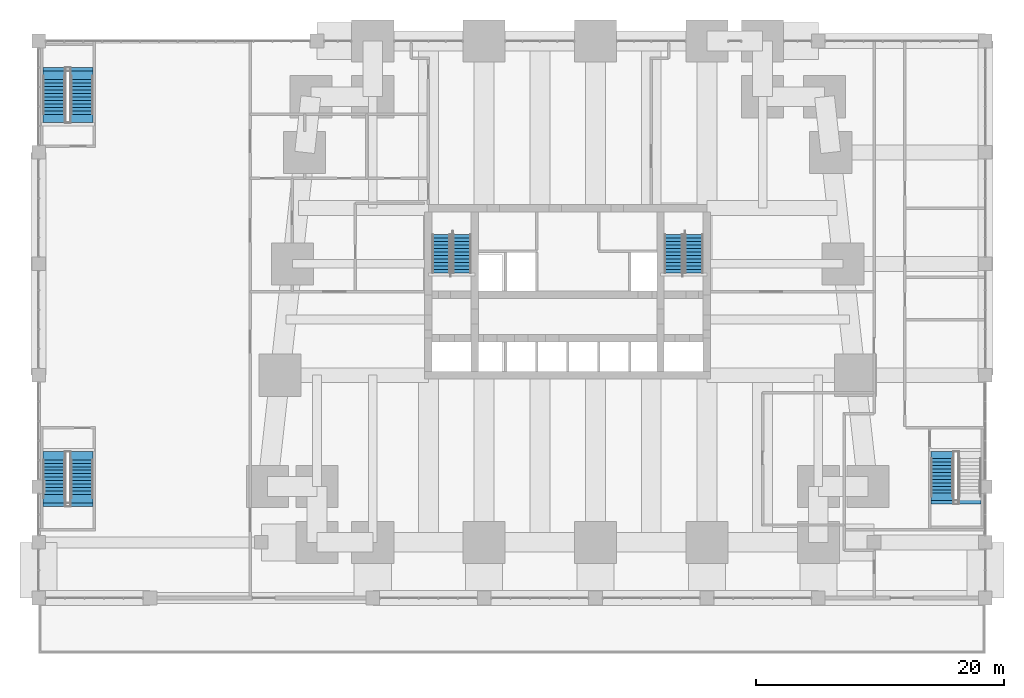
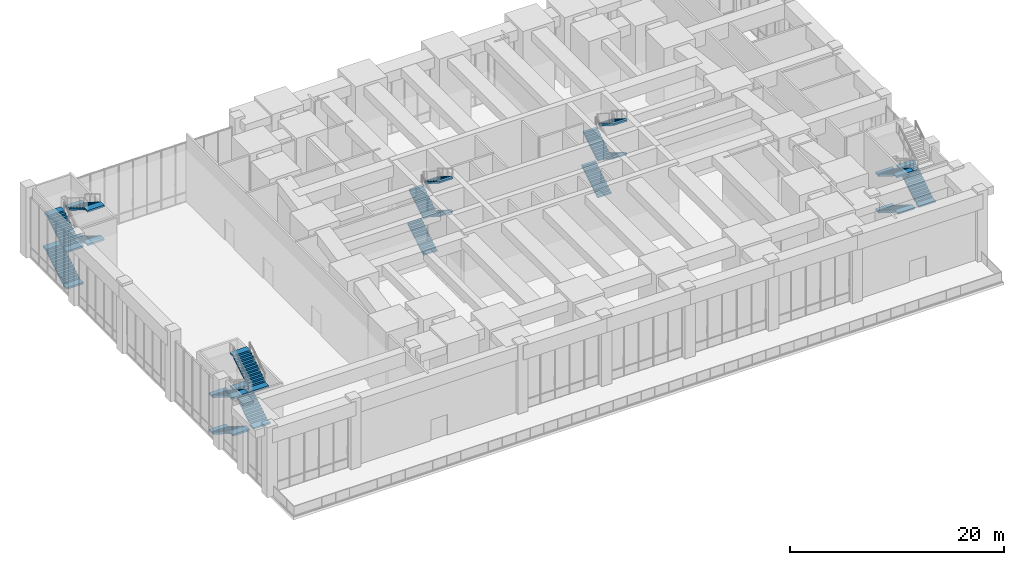
# One storey, part 21 of 26: 19 stair flights, 5 elements without a shape of their own.
"""IFC4 building model written with IfcOpenShell, lengths in metres."""

from ifc_helpers import new_model, si_unit, direction, frame, origin, place, context, subcontext, project, spatial, polyline, outline, extrude, material, type_object, element, aggregate, save


model = new_model("IFC4")

# Units and contexts
model_context = context("Model", 3, precision=1e-05, world=origin(), true_north=direction((0.0, 1.0)))
body_context = subcontext(model_context, "Body", "Model", "MODEL_VIEW")
ifc_project = project(units=[si_unit("LENGTHUNIT", "METRE"), si_unit("AREAUNIT", "SQUARE_METRE"), si_unit("VOLUMEUNIT", "CUBIC_METRE"), si_unit("PLANEANGLEUNIT", "RADIAN"), si_unit("MASSUNIT", "GRAM", prefix="KILO")], contexts=[model_context])

# Site, building, storey
site_placement = place(None, origin())
site = spatial("IfcSite", under=ifc_project, at=site_placement, CompositionType="ELEMENT")
building_placement = place(site_placement, origin())
building = spatial("IfcBuilding", under=site, at=building_placement, Name="Kilele Tower Hotel", CompositionType="ELEMENT")
storey_placement = place(building_placement, frame((0.0, 0.0, 11.0)))
storey = spatial("IfcBuildingStorey", under=building, at=storey_placement, Name="L02", CompositionType="ELEMENT", Elevation=11.0)

# Stair, stair flights
ifc_material_1 = material(Name="Precast concrete C40/50", Category="concrete")
stair_type_1 = type_object("IfcStairType", Name="Stair 1475 x 8000", PredefinedType="HALF_TURN_STAIR", material=ifc_material_1)
stair_1_placement = place(storey_placement, origin())
stair_1 = element("IfcStair", 1, at=stair_1_placement, inside=storey, type_object=stair_type_1, Name="Stair 1 L02", PredefinedType="HALF_TURN_STAIR")
ifc_material_2 = material(Name="Precast concrete C40/50", Category="concrete")
stair_flight_type_1 = type_object("IfcStairFlightType", Name="Flight 1475 riser 173.9", PredefinedType="STRAIGHT", material=ifc_material_2)
stair_flight_1_placement = place(storey_placement, frame((14.53759765625, 21.77490234375, 0.0), z_axis=(0.0, 0.0, 1.0), x_axis=(0.0, 1.0, 0.0)))
stair_flight_1 = element("IfcStairFlight", 2, at=stair_flight_1_placement, type_object=stair_flight_type_1, Name="ST1 flight 1", NumberOfRisers=12, NumberOfTreads=11, PredefinedType="STRAIGHT", RiserHeight=0.173913043, TreadLength=0.28, context=body_context, shape_type="SweptSolid", body=[
    extrude(outline(polyline([(0.0, 0.0), (0.0, 0.173828125), (0.280029296875, 0.173828125), (0.280029296875, 0.347900390625), (0.56005859375, 0.347900390625), (0.56005859375, 0.521728515625), (0.840087890625, 0.521728515625), (0.840087890625, 0.695556640625), (1.1201171875, 0.695556640625), (1.1201171875, 0.86962890625), (1.39990234375, 0.86962890625), (1.39990234375, 1.04345703125), (1.679931640625, 1.04345703125), (1.679931640625, 1.21728515625), (1.9599609375, 1.21728515625), (1.9599609375, 1.391357421875), (2.239990234375, 1.391357421875), (2.239990234375, 1.565185546875), (2.52001953125, 1.565185546875), (2.52001953125, 1.739013671875), (2.800048828125, 1.739013671875), (2.800048828125, 1.9130859375), (3.080078125, 1.9130859375), (3.080078125, 2.0869140625), (3.080078125, 1.736572265625), (0.2841796875, 0.0), (0.0, 0.0)])), frame((0.0, 0.737548828125, 0.0), z_axis=(0.0, -1.0, 0.0), x_axis=(1.0, 0.0, 0.0)), (0.0, 0.0, 1.0), 1.47509765625),
])
stair_flight_2_placement = place(storey_placement, frame((16.21240234375, 24.85498046875, 2.0869140625), z_axis=(0.0, 0.0, 1.0), x_axis=(0.0, -1.0, 0.0)))
stair_flight_2 = element("IfcStairFlight", 3, at=stair_flight_2_placement, type_object=stair_flight_type_1, Name="ST1 flight 2", NumberOfRisers=12, NumberOfTreads=11, PredefinedType="STRAIGHT", RiserHeight=0.173913043, TreadLength=0.28, context=body_context, shape_type="SweptSolid", body=[
    extrude(outline(polyline([(0.0, 0.0), (0.0, 0.173828125), (0.280029296875, 0.173828125), (0.280029296875, 0.347900390625), (0.56005859375, 0.347900390625), (0.56005859375, 0.521728515625), (0.840087890625, 0.521728515625), (0.840087890625, 0.695556640625), (1.1201171875, 0.695556640625), (1.1201171875, 0.86962890625), (1.39990234375, 0.86962890625), (1.39990234375, 1.04345703125), (1.679931640625, 1.04345703125), (1.679931640625, 1.21728515625), (1.9599609375, 1.21728515625), (1.9599609375, 1.391357421875), (2.239990234375, 1.391357421875), (2.239990234375, 1.565185546875), (2.52001953125, 1.565185546875), (2.52001953125, 1.739013671875), (2.800048828125, 1.739013671875), (2.800048828125, 1.9130859375), (3.080078125, 1.9130859375), (3.080078125, 2.0869140625), (3.080078125, 1.736572265625), (0.2841796875, 0.0), (0.0, 0.0)])), frame((0.0, 0.737548828125, 0.0), z_axis=(0.0, -1.0, 0.0), x_axis=(1.0, 0.0, 0.0)), (0.0, 0.0, 1.0), 1.47509765625),
])
stair_flight_3_placement = place(storey_placement, frame((14.53759765625, 21.77490234375, 4.173828125), z_axis=(0.0, 0.0, 1.0), x_axis=(0.0, 1.0, 0.0)))
stair_flight_3 = element("IfcStairFlight", 4, at=stair_flight_3_placement, type_object=stair_flight_type_1, Name="ST1 flight 3", NumberOfRisers=11, NumberOfTreads=10, PredefinedType="STRAIGHT", RiserHeight=0.173913043, TreadLength=0.28, context=body_context, shape_type="SweptSolid", body=[
    extrude(outline(polyline([(0.0, 0.0), (0.0, 0.173828125), (0.280029296875, 0.173828125), (0.280029296875, 0.347900390625), (0.56005859375, 0.347900390625), (0.56005859375, 0.521728515625), (0.840087890625, 0.521728515625), (0.840087890625, 0.695556640625), (1.1201171875, 0.695556640625), (1.1201171875, 0.86962890625), (1.39990234375, 0.86962890625), (1.39990234375, 1.04345703125), (1.679931640625, 1.04345703125), (1.679931640625, 1.21728515625), (1.9599609375, 1.21728515625), (1.9599609375, 1.391357421875), (2.239990234375, 1.391357421875), (2.239990234375, 1.565185546875), (2.52001953125, 1.565185546875), (2.52001953125, 1.739013671875), (2.800048828125, 1.739013671875), (2.800048828125, 1.9130859375), (2.800048828125, 1.562744140625), (0.2841796875, 0.0), (0.0, 0.0)])), frame((0.0, 0.737548828125, 0.0), z_axis=(0.0, -1.0, 0.0), x_axis=(1.0, 0.0, 0.0)), (0.0, 0.0, 1.0), 1.47509765625),
])
stair_flight_4_placement = place(storey_placement, frame((16.21240234375, 24.574951171875, 6.0869140625), z_axis=(0.0, 0.0, 1.0), x_axis=(0.0, -1.0, 0.0)))
stair_flight_4 = element("IfcStairFlight", 5, at=stair_flight_4_placement, type_object=stair_flight_type_1, Name="ST1 flight 4", NumberOfRisers=11, NumberOfTreads=10, PredefinedType="STRAIGHT", RiserHeight=0.173913043, TreadLength=0.28, context=body_context, shape_type="SweptSolid", body=[
    extrude(outline(polyline([(0.0, 0.0), (0.0, 0.173828125), (0.280029296875, 0.173828125), (0.280029296875, 0.347900390625), (0.56005859375, 0.347900390625), (0.56005859375, 0.521728515625), (0.840087890625, 0.521728515625), (0.840087890625, 0.695556640625), (1.1201171875, 0.695556640625), (1.1201171875, 0.86962890625), (1.39990234375, 0.86962890625), (1.39990234375, 1.04345703125), (1.679931640625, 1.04345703125), (1.679931640625, 1.21728515625), (1.9599609375, 1.21728515625), (1.9599609375, 1.391357421875), (2.239990234375, 1.391357421875), (2.239990234375, 1.565185546875), (2.52001953125, 1.565185546875), (2.52001953125, 1.739013671875), (2.800048828125, 1.739013671875), (2.800048828125, 1.9130859375), (2.800048828125, 1.562744140625), (0.2841796875, 0.0), (0.0, 0.0)])), frame((0.0, 0.737548828125, 0.0), z_axis=(0.0, -1.0, 0.0), x_axis=(1.0, 0.0, 0.0)), (0.0, 0.0, 1.0), 1.47509765625),
])
aggregate(stair_1, [stair_flight_1, stair_flight_2, stair_flight_3, stair_flight_4])

stair_2_placement = place(storey_placement, origin())
stair_2 = element("IfcStair", 6, at=stair_2_placement, inside=storey, type_object=stair_type_1, Name="Stair 2 L02", PredefinedType="HALF_TURN_STAIR")
stair_flight_5_placement = place(storey_placement, frame((33.28759765625, 21.77490234375, 0.0), z_axis=(0.0, 0.0, 1.0), x_axis=(0.0, 1.0, 0.0)))
stair_flight_5 = element("IfcStairFlight", 7, at=stair_flight_5_placement, type_object=stair_flight_type_1, Name="ST2 flight 1", NumberOfRisers=12, NumberOfTreads=11, PredefinedType="STRAIGHT", RiserHeight=0.173913043, TreadLength=0.28, context=body_context, shape_type="SweptSolid", body=[
    extrude(outline(polyline([(0.0, 0.0), (0.0, 0.173828125), (0.280029296875, 0.173828125), (0.280029296875, 0.347900390625), (0.56005859375, 0.347900390625), (0.56005859375, 0.521728515625), (0.840087890625, 0.521728515625), (0.840087890625, 0.695556640625), (1.1201171875, 0.695556640625), (1.1201171875, 0.86962890625), (1.39990234375, 0.86962890625), (1.39990234375, 1.04345703125), (1.679931640625, 1.04345703125), (1.679931640625, 1.21728515625), (1.9599609375, 1.21728515625), (1.9599609375, 1.391357421875), (2.239990234375, 1.391357421875), (2.239990234375, 1.565185546875), (2.52001953125, 1.565185546875), (2.52001953125, 1.739013671875), (2.800048828125, 1.739013671875), (2.800048828125, 1.9130859375), (3.080078125, 1.9130859375), (3.080078125, 2.0869140625), (3.080078125, 1.736572265625), (0.2841796875, 0.0), (0.0, 0.0)])), frame((0.0, 0.737548828125, 0.0), z_axis=(0.0, -1.0, 0.0), x_axis=(1.0, 0.0, 0.0)), (0.0, 0.0, 1.0), 1.47509765625),
])
stair_flight_6_placement = place(storey_placement, frame((34.96240234375, 24.85498046875, 2.0869140625), z_axis=(0.0, 0.0, 1.0), x_axis=(0.0, -1.0, 0.0)))
stair_flight_6 = element("IfcStairFlight", 8, at=stair_flight_6_placement, type_object=stair_flight_type_1, Name="ST2 flight 2", NumberOfRisers=12, NumberOfTreads=11, PredefinedType="STRAIGHT", RiserHeight=0.173913043, TreadLength=0.28, context=body_context, shape_type="SweptSolid", body=[
    extrude(outline(polyline([(0.0, 0.0), (0.0, 0.173828125), (0.280029296875, 0.173828125), (0.280029296875, 0.347900390625), (0.56005859375, 0.347900390625), (0.56005859375, 0.521728515625), (0.840087890625, 0.521728515625), (0.840087890625, 0.695556640625), (1.1201171875, 0.695556640625), (1.1201171875, 0.86962890625), (1.39990234375, 0.86962890625), (1.39990234375, 1.04345703125), (1.679931640625, 1.04345703125), (1.679931640625, 1.21728515625), (1.9599609375, 1.21728515625), (1.9599609375, 1.391357421875), (2.239990234375, 1.391357421875), (2.239990234375, 1.565185546875), (2.52001953125, 1.565185546875), (2.52001953125, 1.739013671875), (2.800048828125, 1.739013671875), (2.800048828125, 1.9130859375), (3.080078125, 1.9130859375), (3.080078125, 2.0869140625), (3.080078125, 1.736572265625), (0.2841796875, 0.0), (0.0, 0.0)])), frame((0.0, 0.737548828125, 0.0), z_axis=(0.0, -1.0, 0.0), x_axis=(1.0, 0.0, 0.0)), (0.0, 0.0, 1.0), 1.47509765625),
])
stair_flight_7_placement = place(storey_placement, frame((33.28759765625, 21.77490234375, 4.173828125), z_axis=(0.0, 0.0, 1.0), x_axis=(0.0, 1.0, 0.0)))
stair_flight_7 = element("IfcStairFlight", 9, at=stair_flight_7_placement, type_object=stair_flight_type_1, Name="ST2 flight 3", NumberOfRisers=11, NumberOfTreads=10, PredefinedType="STRAIGHT", RiserHeight=0.173913043, TreadLength=0.28, context=body_context, shape_type="SweptSolid", body=[
    extrude(outline(polyline([(0.0, 0.0), (0.0, 0.173828125), (0.280029296875, 0.173828125), (0.280029296875, 0.347900390625), (0.56005859375, 0.347900390625), (0.56005859375, 0.521728515625), (0.840087890625, 0.521728515625), (0.840087890625, 0.695556640625), (1.1201171875, 0.695556640625), (1.1201171875, 0.86962890625), (1.39990234375, 0.86962890625), (1.39990234375, 1.04345703125), (1.679931640625, 1.04345703125), (1.679931640625, 1.21728515625), (1.9599609375, 1.21728515625), (1.9599609375, 1.391357421875), (2.239990234375, 1.391357421875), (2.239990234375, 1.565185546875), (2.52001953125, 1.565185546875), (2.52001953125, 1.739013671875), (2.800048828125, 1.739013671875), (2.800048828125, 1.9130859375), (2.800048828125, 1.562744140625), (0.2841796875, 0.0), (0.0, 0.0)])), frame((0.0, 0.737548828125, 0.0), z_axis=(0.0, -1.0, 0.0), x_axis=(1.0, 0.0, 0.0)), (0.0, 0.0, 1.0), 1.47509765625),
])
stair_flight_8_placement = place(storey_placement, frame((34.96240234375, 24.574951171875, 6.0869140625), z_axis=(0.0, 0.0, 1.0), x_axis=(0.0, -1.0, 0.0)))
stair_flight_8 = element("IfcStairFlight", 10, at=stair_flight_8_placement, type_object=stair_flight_type_1, Name="ST2 flight 4", NumberOfRisers=11, NumberOfTreads=10, PredefinedType="STRAIGHT", RiserHeight=0.173913043, TreadLength=0.28, context=body_context, shape_type="SweptSolid", body=[
    extrude(outline(polyline([(0.0, 0.0), (0.0, 0.173828125), (0.280029296875, 0.173828125), (0.280029296875, 0.347900390625), (0.56005859375, 0.347900390625), (0.56005859375, 0.521728515625), (0.840087890625, 0.521728515625), (0.840087890625, 0.695556640625), (1.1201171875, 0.695556640625), (1.1201171875, 0.86962890625), (1.39990234375, 0.86962890625), (1.39990234375, 1.04345703125), (1.679931640625, 1.04345703125), (1.679931640625, 1.21728515625), (1.9599609375, 1.21728515625), (1.9599609375, 1.391357421875), (2.239990234375, 1.391357421875), (2.239990234375, 1.565185546875), (2.52001953125, 1.565185546875), (2.52001953125, 1.739013671875), (2.800048828125, 1.739013671875), (2.800048828125, 1.9130859375), (2.800048828125, 1.562744140625), (0.2841796875, 0.0), (0.0, 0.0)])), frame((0.0, 0.737548828125, 0.0), z_axis=(0.0, -1.0, 0.0), x_axis=(1.0, 0.0, 0.0)), (0.0, 0.0, 1.0), 1.47509765625),
])
aggregate(stair_2, [stair_flight_5, stair_flight_6, stair_flight_7, stair_flight_8])

ifc_material_3 = material(Name="Precast concrete C40/50", Category="concrete")
stair_type_2 = type_object("IfcStairType", Name="Stair 1800 x 8000", PredefinedType="HALF_TURN_STAIR", material=ifc_material_3)
stair_3_placement = place(storey_placement, origin())
stair_3 = element("IfcStair", 11, at=stair_3_placement, inside=storey, type_object=stair_type_2, Name="Stair 3 L02", PredefinedType="HALF_TURN_STAIR")
ifc_material_4 = material(Name="Precast concrete C40/50", Category="concrete")
stair_flight_type_2 = type_object("IfcStairFlightType", Name="Flight 1800 riser 173.9", PredefinedType="STRAIGHT", material=ifc_material_4)
stair_flight_9_placement = place(storey_placement, frame((-16.75, 34.5849609375, 0.0), z_axis=(0.0, 0.0, 1.0), x_axis=(0.0, 1.0, 0.0)))
stair_flight_9 = element("IfcStairFlight", 12, at=stair_flight_9_placement, type_object=stair_flight_type_2, Name="ST3 flight 1", NumberOfRisers=12, NumberOfTreads=11, PredefinedType="STRAIGHT", RiserHeight=0.173913043, TreadLength=0.28, context=body_context, shape_type="SweptSolid", body=[
    extrude(outline(polyline([(0.0, 0.0), (0.0, 0.173828125), (0.280029296875, 0.173828125), (0.280029296875, 0.347900390625), (0.56005859375, 0.347900390625), (0.56005859375, 0.521728515625), (0.840087890625, 0.521728515625), (0.840087890625, 0.695556640625), (1.1201171875, 0.695556640625), (1.1201171875, 0.86962890625), (1.39990234375, 0.86962890625), (1.39990234375, 1.04345703125), (1.679931640625, 1.04345703125), (1.679931640625, 1.21728515625), (1.9599609375, 1.21728515625), (1.9599609375, 1.391357421875), (2.239990234375, 1.391357421875), (2.239990234375, 1.565185546875), (2.52001953125, 1.565185546875), (2.52001953125, 1.739013671875), (2.800048828125, 1.739013671875), (2.800048828125, 1.9130859375), (3.080078125, 1.9130859375), (3.080078125, 2.0869140625), (3.080078125, 1.736572265625), (0.2841796875, 0.0), (0.0, 0.0)])), frame((0.0, 0.89990234375, 0.0), z_axis=(0.0, -1.0, 0.0), x_axis=(1.0, 0.0, 0.0)), (0.0, 0.0, 1.0), 1.800048828125),
    extrude(outline(polyline([(-0.68505859375, 0.89990234375), (-0.68505859375, -0.89990234375), (0.0, -0.89990234375), (0.0, 0.89990234375), (-0.68505859375, 0.89990234375)])), frame((0.0, 0.0, -0.199951171875)), (0.0, 0.0, 1.0), 0.199951171875),
    extrude(outline(polyline([(3.080078125, 0.89990234375), (3.080078125, -0.89990234375), (3.76513671875, -0.89990234375), (3.76513671875, 0.89990234375), (3.080078125, 0.89990234375)])), frame((0.0, 0.0, 1.886962890625)), (0.0, 0.0, 1.0), 0.199951171875),
])
stair_flight_10_placement = place(storey_placement, frame((-14.5, 37.6650390625, 2.0869140625), z_axis=(0.0, 0.0, 1.0), x_axis=(0.0, -1.0, 0.0)))
stair_flight_10 = element("IfcStairFlight", 13, at=stair_flight_10_placement, type_object=stair_flight_type_2, Name="ST3 flight 2", NumberOfRisers=12, NumberOfTreads=11, PredefinedType="STRAIGHT", RiserHeight=0.173913043, TreadLength=0.28, context=body_context, shape_type="SweptSolid", body=[
    extrude(outline(polyline([(0.0, 0.0), (0.0, 0.173828125), (0.280029296875, 0.173828125), (0.280029296875, 0.347900390625), (0.56005859375, 0.347900390625), (0.56005859375, 0.521728515625), (0.840087890625, 0.521728515625), (0.840087890625, 0.695556640625), (1.1201171875, 0.695556640625), (1.1201171875, 0.86962890625), (1.39990234375, 0.86962890625), (1.39990234375, 1.04345703125), (1.679931640625, 1.04345703125), (1.679931640625, 1.21728515625), (1.9599609375, 1.21728515625), (1.9599609375, 1.391357421875), (2.239990234375, 1.391357421875), (2.239990234375, 1.565185546875), (2.52001953125, 1.565185546875), (2.52001953125, 1.739013671875), (2.800048828125, 1.739013671875), (2.800048828125, 1.9130859375), (3.080078125, 1.9130859375), (3.080078125, 2.0869140625), (3.080078125, 1.736572265625), (0.2841796875, 0.0), (0.0, 0.0)])), frame((0.0, 0.89990234375, 0.0), z_axis=(0.0, -1.0, 0.0), x_axis=(1.0, 0.0, 0.0)), (0.0, 0.0, 1.0), 1.800048828125),
    extrude(outline(polyline([(0.0, -0.89990234375), (0.0, 0.89990234375), (-0.68505859375, 0.89990234375), (-0.68505859375, -0.89990234375), (0.0, -0.89990234375)])), frame((0.0, 0.0, -0.199951171875)), (0.0, 0.0, 1.0), 0.199951171875),
    extrude(outline(polyline([(3.76513671875, -0.89990234375), (3.76513671875, 0.89990234375), (3.080078125, 0.89990234375), (3.080078125, -0.89990234375), (3.76513671875, -0.89990234375)])), frame((0.0, 0.0, 1.886962890625)), (0.0, 0.0, 1.0), 0.199951171875),
])
stair_flight_11_placement = place(storey_placement, frame((-16.75, 34.5849609375, 4.173828125), z_axis=(0.0, 0.0, 1.0), x_axis=(0.0, 1.0, 0.0)))
stair_flight_11 = element("IfcStairFlight", 14, at=stair_flight_11_placement, type_object=stair_flight_type_2, Name="ST3 flight 3", NumberOfRisers=11, NumberOfTreads=10, PredefinedType="STRAIGHT", RiserHeight=0.173913043, TreadLength=0.28, context=body_context, shape_type="SweptSolid", body=[
    extrude(outline(polyline([(0.0, 0.0), (0.0, 0.173828125), (0.280029296875, 0.173828125), (0.280029296875, 0.347900390625), (0.56005859375, 0.347900390625), (0.56005859375, 0.521728515625), (0.840087890625, 0.521728515625), (0.840087890625, 0.695556640625), (1.1201171875, 0.695556640625), (1.1201171875, 0.86962890625), (1.39990234375, 0.86962890625), (1.39990234375, 1.04345703125), (1.679931640625, 1.04345703125), (1.679931640625, 1.21728515625), (1.9599609375, 1.21728515625), (1.9599609375, 1.391357421875), (2.239990234375, 1.391357421875), (2.239990234375, 1.565185546875), (2.52001953125, 1.565185546875), (2.52001953125, 1.739013671875), (2.800048828125, 1.739013671875), (2.800048828125, 1.9130859375), (2.800048828125, 1.562744140625), (0.2841796875, 0.0), (0.0, 0.0)])), frame((0.0, 0.89990234375, 0.0), z_axis=(0.0, -1.0, 0.0), x_axis=(1.0, 0.0, 0.0)), (0.0, 0.0, 1.0), 1.800048828125),
    extrude(outline(polyline([(-0.68505859375, 0.89990234375), (-0.68505859375, -0.89990234375), (0.0, -0.89990234375), (0.0, 0.89990234375), (-0.68505859375, 0.89990234375)])), frame((0.0, 0.0, -0.199951171875)), (0.0, 0.0, 1.0), 0.199951171875),
    extrude(outline(polyline([(2.800048828125, 0.89990234375), (2.800048828125, -0.89990234375), (3.485107421875, -0.89990234375), (3.485107421875, 0.89990234375), (2.800048828125, 0.89990234375)])), frame((0.0, 0.0, 1.713134765625)), (0.0, 0.0, 1.0), 0.199951171875),
])
stair_flight_12_placement = place(storey_placement, frame((-14.5, 37.385009765625, 6.0869140625), z_axis=(0.0, 0.0, 1.0), x_axis=(0.0, -1.0, 0.0)))
stair_flight_12 = element("IfcStairFlight", 15, at=stair_flight_12_placement, type_object=stair_flight_type_2, Name="ST3 flight 4", NumberOfRisers=11, NumberOfTreads=10, PredefinedType="STRAIGHT", RiserHeight=0.173913043, TreadLength=0.28, context=body_context, shape_type="SweptSolid", body=[
    extrude(outline(polyline([(0.0, 0.0), (0.0, 0.173828125), (0.280029296875, 0.173828125), (0.280029296875, 0.347900390625), (0.56005859375, 0.347900390625), (0.56005859375, 0.521728515625), (0.840087890625, 0.521728515625), (0.840087890625, 0.695556640625), (1.1201171875, 0.695556640625), (1.1201171875, 0.86962890625), (1.39990234375, 0.86962890625), (1.39990234375, 1.04345703125), (1.679931640625, 1.04345703125), (1.679931640625, 1.21728515625), (1.9599609375, 1.21728515625), (1.9599609375, 1.391357421875), (2.239990234375, 1.391357421875), (2.239990234375, 1.565185546875), (2.52001953125, 1.565185546875), (2.52001953125, 1.739013671875), (2.800048828125, 1.739013671875), (2.800048828125, 1.9130859375), (2.800048828125, 1.562744140625), (0.2841796875, 0.0), (0.0, 0.0)])), frame((0.0, 0.89990234375, 0.0), z_axis=(0.0, -1.0, 0.0), x_axis=(1.0, 0.0, 0.0)), (0.0, 0.0, 1.0), 1.800048828125),
    extrude(outline(polyline([(0.0, -0.89990234375), (0.0, 0.89990234375), (-0.68505859375, 0.89990234375), (-0.68505859375, -0.89990234375), (0.0, -0.89990234375)])), frame((0.0, 0.0, -0.199951171875)), (0.0, 0.0, 1.0), 0.199951171875),
    extrude(outline(polyline([(3.485107421875, -0.89990234375), (3.485107421875, 0.89990234375), (2.800048828125, 0.89990234375), (2.800048828125, -0.89990234375), (3.485107421875, -0.89990234375)])), frame((0.0, 0.0, 1.713134765625)), (0.0, 0.0, 1.0), 0.199951171875),
])
aggregate(stair_3, [stair_flight_9, stair_flight_10, stair_flight_11, stair_flight_12])

stair_4_placement = place(storey_placement, origin())
stair_4 = element("IfcStair", 16, at=stair_4_placement, inside=storey, type_object=stair_type_2, Name="Stair 4 L02", PredefinedType="HALF_TURN_STAIR")
stair_flight_13_placement = place(storey_placement, frame((-16.75, 6.6650390625, 0.0), z_axis=(0.0, 0.0, 1.0), x_axis=(0.0, -1.0, 0.0)))
stair_flight_13 = element("IfcStairFlight", 17, at=stair_flight_13_placement, type_object=stair_flight_type_2, Name="ST4 flight 1", NumberOfRisers=12, NumberOfTreads=11, PredefinedType="STRAIGHT", RiserHeight=0.173913043, TreadLength=0.28, context=body_context, shape_type="SweptSolid", body=[
    extrude(outline(polyline([(0.0, 0.0), (0.0, 0.173828125), (0.280029296875, 0.173828125), (0.280029296875, 0.347900390625), (0.56005859375, 0.347900390625), (0.56005859375, 0.521728515625), (0.840087890625, 0.521728515625), (0.840087890625, 0.695556640625), (1.1201171875, 0.695556640625), (1.1201171875, 0.86962890625), (1.39990234375, 0.86962890625), (1.39990234375, 1.04345703125), (1.679931640625, 1.04345703125), (1.679931640625, 1.21728515625), (1.9599609375, 1.21728515625), (1.9599609375, 1.391357421875), (2.239990234375, 1.391357421875), (2.239990234375, 1.565185546875), (2.52001953125, 1.565185546875), (2.52001953125, 1.739013671875), (2.800048828125, 1.739013671875), (2.800048828125, 1.9130859375), (3.080078125, 1.9130859375), (3.080078125, 2.0869140625), (3.080078125, 1.736572265625), (0.2841796875, 0.0), (0.0, 0.0)])), frame((0.0, 0.89990234375, 0.0), z_axis=(0.0, -1.0, 0.0), x_axis=(1.0, 0.0, 0.0)), (0.0, 0.0, 1.0), 1.800048828125),
    extrude(outline(polyline([(0.0, -0.89990234375), (0.0, 0.89990234375), (-0.68505859375, 0.89990234375), (-0.68505859375, -0.89990234375), (0.0, -0.89990234375)])), frame((0.0, 0.0, -0.199951171875)), (0.0, 0.0, 1.0), 0.199951171875),
    extrude(outline(polyline([(3.76513671875, -0.89990234375), (3.76513671875, 0.89990234375), (3.080078125, 0.89990234375), (3.080078125, -0.89990234375), (3.76513671875, -0.89990234375)])), frame((0.0, 0.0, 1.886962890625)), (0.0, 0.0, 1.0), 0.199951171875),
])
stair_flight_14_placement = place(storey_placement, frame((-14.5, 3.5849609375, 2.0869140625), z_axis=(0.0, 0.0, 1.0), x_axis=(0.0, 1.0, 0.0)))
stair_flight_14 = element("IfcStairFlight", 18, at=stair_flight_14_placement, type_object=stair_flight_type_2, Name="ST4 flight 2", NumberOfRisers=12, NumberOfTreads=11, PredefinedType="STRAIGHT", RiserHeight=0.173913043, TreadLength=0.28, context=body_context, shape_type="SweptSolid", body=[
    extrude(outline(polyline([(0.0, 0.0), (0.0, 0.173828125), (0.280029296875, 0.173828125), (0.280029296875, 0.347900390625), (0.56005859375, 0.347900390625), (0.56005859375, 0.521728515625), (0.840087890625, 0.521728515625), (0.840087890625, 0.695556640625), (1.1201171875, 0.695556640625), (1.1201171875, 0.86962890625), (1.39990234375, 0.86962890625), (1.39990234375, 1.04345703125), (1.679931640625, 1.04345703125), (1.679931640625, 1.21728515625), (1.9599609375, 1.21728515625), (1.9599609375, 1.391357421875), (2.239990234375, 1.391357421875), (2.239990234375, 1.565185546875), (2.52001953125, 1.565185546875), (2.52001953125, 1.739013671875), (2.800048828125, 1.739013671875), (2.800048828125, 1.9130859375), (3.080078125, 1.9130859375), (3.080078125, 2.0869140625), (3.080078125, 1.736572265625), (0.2841796875, 0.0), (0.0, 0.0)])), frame((0.0, 0.89990234375, 0.0), z_axis=(0.0, -1.0, 0.0), x_axis=(1.0, 0.0, 0.0)), (0.0, 0.0, 1.0), 1.800048828125),
    extrude(outline(polyline([(-0.68505859375, 0.89990234375), (-0.68505859375, -0.89990234375), (0.0, -0.89990234375), (0.0, 0.89990234375), (-0.68505859375, 0.89990234375)])), frame((0.0, 0.0, -0.199951171875)), (0.0, 0.0, 1.0), 0.199951171875),
    extrude(outline(polyline([(3.080078125, 0.89990234375), (3.080078125, -0.89990234375), (3.76513671875, -0.89990234375), (3.76513671875, 0.89990234375), (3.080078125, 0.89990234375)])), frame((0.0, 0.0, 1.886962890625)), (0.0, 0.0, 1.0), 0.199951171875),
])
stair_flight_15_placement = place(storey_placement, frame((-16.75, 6.6650390625, 4.173828125), z_axis=(0.0, 0.0, 1.0), x_axis=(0.0, -1.0, 0.0)))
stair_flight_15 = element("IfcStairFlight", 19, at=stair_flight_15_placement, type_object=stair_flight_type_2, Name="ST4 flight 3", NumberOfRisers=11, NumberOfTreads=10, PredefinedType="STRAIGHT", RiserHeight=0.173913043, TreadLength=0.28, context=body_context, shape_type="SweptSolid", body=[
    extrude(outline(polyline([(0.0, 0.0), (0.0, 0.173828125), (0.280029296875, 0.173828125), (0.280029296875, 0.347900390625), (0.56005859375, 0.347900390625), (0.56005859375, 0.521728515625), (0.840087890625, 0.521728515625), (0.840087890625, 0.695556640625), (1.1201171875, 0.695556640625), (1.1201171875, 0.86962890625), (1.39990234375, 0.86962890625), (1.39990234375, 1.04345703125), (1.679931640625, 1.04345703125), (1.679931640625, 1.21728515625), (1.9599609375, 1.21728515625), (1.9599609375, 1.391357421875), (2.239990234375, 1.391357421875), (2.239990234375, 1.565185546875), (2.52001953125, 1.565185546875), (2.52001953125, 1.739013671875), (2.800048828125, 1.739013671875), (2.800048828125, 1.9130859375), (2.800048828125, 1.562744140625), (0.2841796875, 0.0), (0.0, 0.0)])), frame((0.0, 0.89990234375, 0.0), z_axis=(0.0, -1.0, 0.0), x_axis=(1.0, 0.0, 0.0)), (0.0, 0.0, 1.0), 1.800048828125),
    extrude(outline(polyline([(0.0, -0.89990234375), (0.0, 0.89990234375), (-0.68505859375, 0.89990234375), (-0.68505859375, -0.89990234375), (0.0, -0.89990234375)])), frame((0.0, 0.0, -0.199951171875)), (0.0, 0.0, 1.0), 0.199951171875),
    extrude(outline(polyline([(3.485107421875, -0.89990234375), (3.485107421875, 0.89990234375), (2.800048828125, 0.89990234375), (2.800048828125, -0.89990234375), (3.485107421875, -0.89990234375)])), frame((0.0, 0.0, 1.713134765625)), (0.0, 0.0, 1.0), 0.199951171875),
])
stair_flight_16_placement = place(storey_placement, frame((-14.5, 3.864990234375, 6.0869140625), z_axis=(0.0, 0.0, 1.0), x_axis=(0.0, 1.0, 0.0)))
stair_flight_16 = element("IfcStairFlight", 20, at=stair_flight_16_placement, type_object=stair_flight_type_2, Name="ST4 flight 4", NumberOfRisers=11, NumberOfTreads=10, PredefinedType="STRAIGHT", RiserHeight=0.173913043, TreadLength=0.28, context=body_context, shape_type="SweptSolid", body=[
    extrude(outline(polyline([(0.0, 0.0), (0.0, 0.173828125), (0.280029296875, 0.173828125), (0.280029296875, 0.347900390625), (0.56005859375, 0.347900390625), (0.56005859375, 0.521728515625), (0.840087890625, 0.521728515625), (0.840087890625, 0.695556640625), (1.1201171875, 0.695556640625), (1.1201171875, 0.86962890625), (1.39990234375, 0.86962890625), (1.39990234375, 1.04345703125), (1.679931640625, 1.04345703125), (1.679931640625, 1.21728515625), (1.9599609375, 1.21728515625), (1.9599609375, 1.391357421875), (2.239990234375, 1.391357421875), (2.239990234375, 1.565185546875), (2.52001953125, 1.565185546875), (2.52001953125, 1.739013671875), (2.800048828125, 1.739013671875), (2.800048828125, 1.9130859375), (2.800048828125, 1.562744140625), (0.2841796875, 0.0), (0.0, 0.0)])), frame((0.0, 0.89990234375, 0.0), z_axis=(0.0, -1.0, 0.0), x_axis=(1.0, 0.0, 0.0)), (0.0, 0.0, 1.0), 1.800048828125),
    extrude(outline(polyline([(-0.68505859375, 0.89990234375), (-0.68505859375, -0.89990234375), (0.0, -0.89990234375), (0.0, 0.89990234375), (-0.68505859375, 0.89990234375)])), frame((0.0, 0.0, -0.199951171875)), (0.0, 0.0, 1.0), 0.199951171875),
    extrude(outline(polyline([(2.800048828125, 0.89990234375), (2.800048828125, -0.89990234375), (3.485107421875, -0.89990234375), (3.485107421875, 0.89990234375), (2.800048828125, 0.89990234375)])), frame((0.0, 0.0, 1.713134765625)), (0.0, 0.0, 1.0), 0.199951171875),
])
aggregate(stair_4, [stair_flight_13, stair_flight_14, stair_flight_15, stair_flight_16])

stair_5_placement = place(storey_placement, origin())
stair_5 = element("IfcStair", 21, at=stair_5_placement, inside=storey, type_object=stair_type_2, Name="Stair 5 L02", PredefinedType="HALF_TURN_STAIR")
stair_flight_17_placement = place(storey_placement, frame((55.0, 6.764892578125, 0.0), z_axis=(0.0, 0.0, 1.0), x_axis=(0.0, -1.0, 0.0)))
stair_flight_17 = element("IfcStairFlight", 22, at=stair_flight_17_placement, type_object=stair_flight_type_2, Name="ST5 flight 1", NumberOfRisers=12, NumberOfTreads=11, PredefinedType="STRAIGHT", RiserHeight=0.173913043, TreadLength=0.28, context=body_context, shape_type="SweptSolid", body=[
    extrude(outline(polyline([(0.0, 0.0), (0.0, 0.173828125), (0.280029296875, 0.173828125), (0.280029296875, 0.347900390625), (0.56005859375, 0.347900390625), (0.56005859375, 0.521728515625), (0.840087890625, 0.521728515625), (0.840087890625, 0.695556640625), (1.1201171875, 0.695556640625), (1.1201171875, 0.86962890625), (1.39990234375, 0.86962890625), (1.39990234375, 1.04345703125), (1.679931640625, 1.04345703125), (1.679931640625, 1.21728515625), (1.9599609375, 1.21728515625), (1.9599609375, 1.391357421875), (2.239990234375, 1.391357421875), (2.239990234375, 1.565185546875), (2.52001953125, 1.565185546875), (2.52001953125, 1.739013671875), (2.800048828125, 1.739013671875), (2.800048828125, 1.9130859375), (3.080078125, 1.9130859375), (3.080078125, 2.0869140625), (3.080078125, 1.736572265625), (0.2841796875, 0.0), (0.0, 0.0)])), frame((0.0, 0.89990234375, 0.0), z_axis=(0.0, -1.0, 0.0), x_axis=(1.0, 0.0, 0.0)), (0.0, 0.0, 1.0), 1.800048828125),
    extrude(outline(polyline([(0.0, -0.89990234375), (0.0, 0.89990234375), (-0.585205078125, 0.89990234375), (-0.585205078125, -0.89990234375), (0.0, -0.89990234375)])), frame((0.0, 0.0, -0.199951171875)), (0.0, 0.0, 1.0), 0.199951171875),
    extrude(outline(polyline([(3.664794921875, -0.89990234375), (3.664794921875, 0.89990234375), (3.079833984375, 0.89990234375), (3.079833984375, -0.89990234375), (3.664794921875, -0.89990234375)])), frame((0.0, 0.0, 1.886962890625)), (0.0, 0.0, 1.0), 0.199951171875),
])
stair_flight_18_placement = place(storey_placement, frame((57.25, 3.68505859375, 2.0869140625), z_axis=(0.0, 0.0, 1.0), x_axis=(0.0, 1.0, 0.0)))
stair_flight_18 = element("IfcStairFlight", 23, at=stair_flight_18_placement, type_object=stair_flight_type_2, Name="ST5 flight 2", NumberOfRisers=12, NumberOfTreads=11, PredefinedType="STRAIGHT", RiserHeight=0.173913043, TreadLength=0.28, context=body_context, shape_type="SweptSolid", body=[
    extrude(outline(polyline([(0.0, 0.0), (0.0, 0.173828125), (0.280029296875, 0.173828125), (0.280029296875, 0.347900390625), (0.56005859375, 0.347900390625), (0.56005859375, 0.521728515625), (0.840087890625, 0.521728515625), (0.840087890625, 0.695556640625), (1.1201171875, 0.695556640625), (1.1201171875, 0.86962890625), (1.39990234375, 0.86962890625), (1.39990234375, 1.04345703125), (1.679931640625, 1.04345703125), (1.679931640625, 1.21728515625), (1.9599609375, 1.21728515625), (1.9599609375, 1.391357421875), (2.239990234375, 1.391357421875), (2.239990234375, 1.565185546875), (2.52001953125, 1.565185546875), (2.52001953125, 1.739013671875), (2.800048828125, 1.739013671875), (2.800048828125, 1.9130859375), (3.080078125, 1.9130859375), (3.080078125, 2.0869140625), (3.080078125, 1.736572265625), (0.2841796875, 0.0), (0.0, 0.0)])), frame((0.0, 0.89990234375, 0.0), z_axis=(0.0, -1.0, 0.0), x_axis=(1.0, 0.0, 0.0)), (0.0, 0.0, 1.0), 1.800048828125),
    extrude(outline(polyline([(-0.5849609375, 0.89990234375), (-0.5849609375, -0.89990234375), (0.0, -0.89990234375), (0.0, 0.89990234375), (-0.5849609375, 0.89990234375)])), frame((0.0, 0.0, -0.199951171875)), (0.0, 0.0, 1.0), 0.199951171875),
    extrude(outline(polyline([(3.079833984375, 0.89990234375), (3.079833984375, -0.89990234375), (3.6650390625, -0.89990234375), (3.6650390625, 0.89990234375), (3.079833984375, 0.89990234375)])), frame((0.0, 0.0, 1.886962890625)), (0.0, 0.0, 1.0), 0.199951171875),
])
stair_flight_19_placement = place(storey_placement, frame((55.0, 6.764892578125, 4.173828125), z_axis=(0.0, 0.0, 1.0), x_axis=(0.0, -1.0, 0.0)))
stair_flight_19 = element("IfcStairFlight", 24, at=stair_flight_19_placement, type_object=stair_flight_type_2, Name="ST5 flight 3", NumberOfRisers=11, NumberOfTreads=10, PredefinedType="STRAIGHT", RiserHeight=0.173913043, TreadLength=0.28, context=body_context, shape_type="SweptSolid", body=[
    extrude(outline(polyline([(0.0, 0.0), (0.0, 0.173828125), (0.280029296875, 0.173828125), (0.280029296875, 0.347900390625), (0.56005859375, 0.347900390625), (0.56005859375, 0.521728515625), (0.840087890625, 0.521728515625), (0.840087890625, 0.695556640625), (1.1201171875, 0.695556640625), (1.1201171875, 0.86962890625), (1.39990234375, 0.86962890625), (1.39990234375, 1.04345703125), (1.679931640625, 1.04345703125), (1.679931640625, 1.21728515625), (1.9599609375, 1.21728515625), (1.9599609375, 1.391357421875), (2.239990234375, 1.391357421875), (2.239990234375, 1.565185546875), (2.52001953125, 1.565185546875), (2.52001953125, 1.739013671875), (2.800048828125, 1.739013671875), (2.800048828125, 1.9130859375), (2.800048828125, 1.562744140625), (0.2841796875, 0.0), (0.0, 0.0)])), frame((0.0, 0.89990234375, 0.0), z_axis=(0.0, -1.0, 0.0), x_axis=(1.0, 0.0, 0.0)), (0.0, 0.0, 1.0), 1.800048828125),
    extrude(outline(polyline([(0.0, -0.89990234375), (0.0, 0.89990234375), (-0.585205078125, 0.89990234375), (-0.585205078125, -0.89990234375), (0.0, -0.89990234375)])), frame((0.0, 0.0, -0.199951171875)), (0.0, 0.0, 1.0), 0.199951171875),
    extrude(outline(polyline([(3.385009765625, -0.89990234375), (3.385009765625, 0.89990234375), (2.7998046875, 0.89990234375), (2.7998046875, -0.89990234375), (3.385009765625, -0.89990234375)])), frame((0.0, 0.0, 1.713134765625)), (0.0, 0.0, 1.0), 0.199951171875),
])
aggregate(stair_5, [stair_flight_17, stair_flight_18, stair_flight_19])

save(model, "model.ifc")
